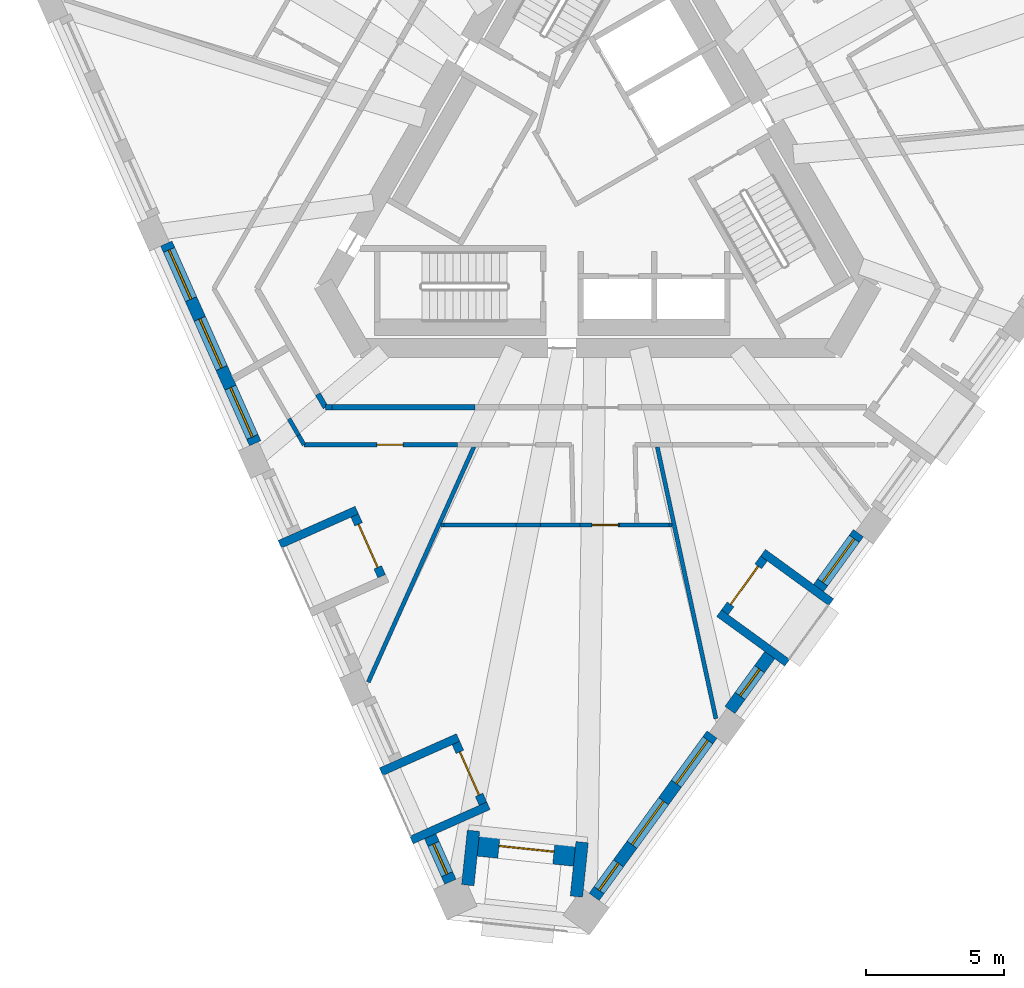
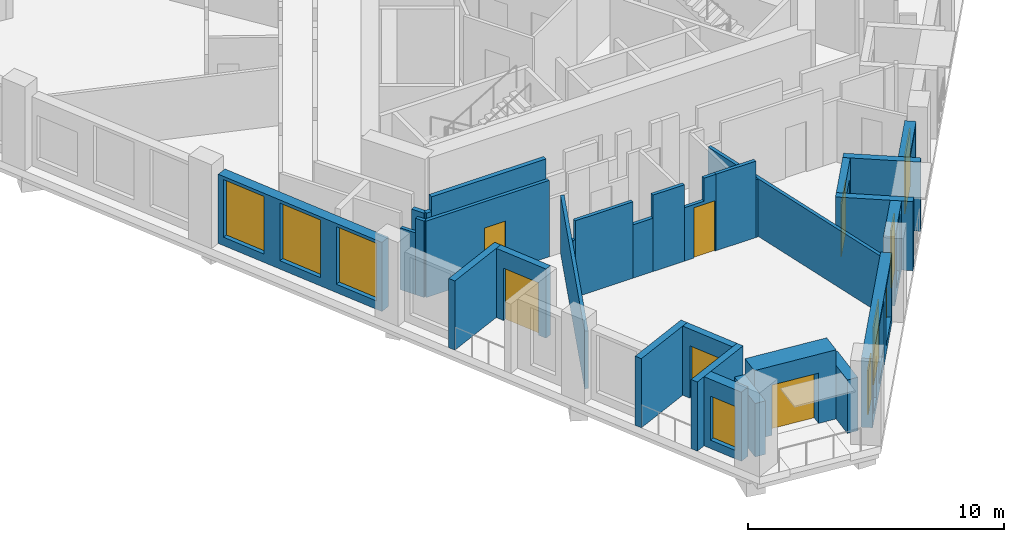
# One storey, part 2 of 11: 31 walls, 9 windows, 6 doors, 15 openings.
"""IFC4 building model written with IfcOpenShell, lengths in metres."""

from ifc_helpers import new_model, si_unit, direction, frame, frame_2d, origin, place, context, subcontext, project, spatial, polyline, rectangle, outline, extrude, material, layer, layer_set, type_object, element, fill, save


model = new_model("IFC4")

# Units and contexts
model_context = context("Model", 3, precision=1e-05, world=origin(), true_north=direction((0.0, 1.0)))
body_context = subcontext(model_context, "Body", "Model", "MODEL_VIEW")
ifc_project = project(units=[si_unit("LENGTHUNIT", "METRE"), si_unit("AREAUNIT", "SQUARE_METRE"), si_unit("VOLUMEUNIT", "CUBIC_METRE"), si_unit("PLANEANGLEUNIT", "RADIAN"), si_unit("MASSUNIT", "GRAM", prefix="KILO")], contexts=[model_context])

# Site, building, storey
site_placement = place(None, origin())
site = spatial("IfcSite", under=ifc_project, at=site_placement, CompositionType="ELEMENT")
building_placement = place(site_placement, origin())
building = spatial("IfcBuilding", under=site, at=building_placement, Name="Tramontana Tower", CompositionType="ELEMENT")
storey_placement = place(building_placement, frame((0.0, 0.0, 245.199951171875)))
storey = spatial("IfcBuildingStorey", under=building, at=storey_placement, Name="L57", CompositionType="ELEMENT", Elevation=245.199951171875)

# Walls
ifc_material_1 = material(Name="Blockwork", Category="masonry")
ifc_layer_1 = layer(ifc_material_1, 0.199951171875)
ifc_layer_set_1 = layer_set([ifc_layer_1], Name="ENTRY WALL 200")
wall_type_1 = type_object("IfcWallType", Name="ENTRY WALL 200", PredefinedType="SOLIDWALL", material=ifc_layer_set_1)
wall_1_placement = place(storey_placement, frame((-4.447998046875, -8.550048828125, 0.0), z_axis=(0.0, 0.0, 1.0), x_axis=(-1.0, 0.0, 0.0)))
element("IfcWall", 1, at=wall_1_placement, inside=storey, type_object=wall_type_1, Name="Wall v60-ew1-10", PredefinedType="SOLIDWALL", context=body_context, shape_type="SweptSolid", body=[
    extrude(rectangle(XDim=5.161376953125, YDim=0.199951171875, at=frame_2d((2.58056640625, 0.0))), origin(), (0.0, 0.0, 1.0), 3.650146484375),
])
wall_2_placement = place(storey_placement, frame((-9.609375, -8.550048828125, 0.0), z_axis=(0.0, 0.0, 1.0), x_axis=(-1.0, 0.0, 0.0)))
element("IfcWall", 2, at=wall_2_placement, inside=storey, type_object=wall_type_1, Name="Wall v60-ew1-11", PredefinedType="SOLIDWALL", context=body_context, shape_type="SweptSolid", body=[
    extrude(rectangle(XDim=0.234375, YDim=0.199951171875, at=frame_2d((0.1171875, 0.0))), origin(), (0.0, 0.0, 1.0), 2.949951171875),
])
wall_3_placement = place(storey_placement, frame((-9.84375, -8.550048828125, 0.0), z_axis=(0.0, 0.0, 1.0), x_axis=(-0.500000383388, 0.866025182435, 0.0)))
element("IfcWall", 3, at=wall_3_placement, inside=storey, type_object=wall_type_1, Name="Wall v60-ew2-0", PredefinedType="SOLIDWALL", context=body_context, shape_type="SweptSolid", body=[
    extrude(rectangle(XDim=0.5576171875, YDim=0.199951171875, at=frame_2d((0.27880859375, 0.0))), origin(), (0.0, 0.0, 1.0), 2.949951171875),
])

# Wall, openings, windows
ifc_material_2 = material(Name="Precast concrete 60 MPa", Category="concrete")
ifc_layer_2 = layer(ifc_material_2, 0.449951171875)
ifc_layer_set_2 = layer_set([ifc_layer_2], Name="Precast concrete 60 MPa, 450 mm")
wall_type_2 = type_object("IfcWallType", Name="EW1 Stone-faced precast wall 450", PredefinedType="SOLIDWALL", material=ifc_layer_set_2)
wall_4_placement = place(storey_placement, frame((-15.608154296875, -2.62158203125, 0.0), z_axis=(0.0, 0.0, 1.0), x_axis=(0.406748602972, -0.91354013266, 0.0)))
wall_4 = element("IfcWall", 4, at=wall_4_placement, inside=storey, type_object=wall_type_2, Name="External wall L57 face 0 bay 3", PredefinedType="SOLIDWALL", context=body_context, shape_type="SweptSolid", body=[
    extrude(rectangle(XDim=7.90673828125, YDim=0.449951171875, at=frame_2d((3.953369140625, 0.0))), origin(), (0.0, 0.0, 1.0), 3.300048828125),
])
opening_1_placement = place(wall_4_placement, frame((0.251220703125, 0.0, 0.39990234375)))
opening_1 = element("IfcOpeningElement", 5, at=opening_1_placement, cuts=wall_4, Name="Opening M3", PredefinedType="OPENING", context=body_context, shape_type="SweptSolid", body=[
    extrude(rectangle(XDim=1.949951171875, YDim=2.75, at=frame_2d((0.97509765625, 1.375))), frame((0.0, 0.23486328125, 0.0), z_axis=(0.0, -1.0, 0.0), x_axis=(1.0, 0.0, 0.0)), (0.0, 0.0, 1.0), 0.469970703125),
])
opening_2_placement = place(wall_4_placement, frame((2.978271484375, 0.0, 0.39990234375)))
opening_2 = element("IfcOpeningElement", 6, at=opening_2_placement, cuts=wall_4, Name="Opening M3", PredefinedType="OPENING", context=body_context, shape_type="SweptSolid", body=[
    extrude(rectangle(XDim=1.949951171875, YDim=2.75, at=frame_2d((0.97509765625, 1.375))), frame((0.0, 0.23486328125, 0.0), z_axis=(0.0, -1.0, 0.0), x_axis=(1.0, 0.0, 0.0)), (0.0, 0.0, 1.0), 0.469970703125),
])
opening_3_placement = place(wall_4_placement, frame((5.70556640625, 0.0, 0.39990234375)))
opening_3 = element("IfcOpeningElement", 7, at=opening_3_placement, cuts=wall_4, Name="Opening M3", PredefinedType="OPENING", context=body_context, shape_type="SweptSolid", body=[
    extrude(rectangle(XDim=1.949951171875, YDim=2.75, at=frame_2d((0.97509765625, 1.375))), frame((0.0, 0.23486328125, 0.0), z_axis=(0.0, -1.0, 0.0), x_axis=(1.0, 0.0, 0.0)), (0.0, 0.0, 1.0), 0.469970703125),
])
ifc_material_3 = material(Name="Aluminum frame, double glazing unit", Category="aluminium")
window_type_1 = type_object("IfcWindowType", Name="M3 Window 1.95 x 2.75", PartitioningType="SINGLE_PANEL", PredefinedType="WINDOW", material=ifc_material_3)
window_1_placement = place(opening_1_placement, origin())
window_1 = element("IfcWindow", 8, at=window_1_placement, inside=storey, type_object=window_type_1, Name="Window M3 L57 face 0 module 7", OverallHeight=2.75, OverallWidth=1.949951171875, PartitioningType="SINGLE_PANEL", PredefinedType="WINDOW", context=body_context, shape_type="SweptSolid", body=[
    extrude(rectangle(XDim=1.949951171875, YDim=2.75, at=frame_2d((0.97509765625, 1.375))), frame((0.0, 0.030029296875, 0.0), z_axis=(0.0, -1.0, 0.0), x_axis=(1.0, 0.0, 0.0)), (0.0, 0.0, 1.0), 0.06005859375),
])
fill(opening_1, window_1)
window_2_placement = place(opening_2_placement, origin())
window_2 = element("IfcWindow", 9, at=window_2_placement, inside=storey, type_object=window_type_1, Name="Window M3 L57 face 0 module 8", OverallHeight=2.75, OverallWidth=1.949951171875, PartitioningType="SINGLE_PANEL", PredefinedType="WINDOW", context=body_context, shape_type="SweptSolid", body=[
    extrude(rectangle(XDim=1.949951171875, YDim=2.75, at=frame_2d((0.97509765625, 1.375))), frame((0.0, 0.030029296875, 0.0), z_axis=(0.0, -1.0, 0.0), x_axis=(1.0, 0.0, 0.0)), (0.0, 0.0, 1.0), 0.06005859375),
])
fill(opening_2, window_2)
window_3_placement = place(opening_3_placement, origin())
window_3 = element("IfcWindow", 10, at=window_3_placement, inside=storey, type_object=window_type_1, Name="Window M3 L57 face 0 module 9", OverallHeight=2.75, OverallWidth=1.949951171875, PartitioningType="SINGLE_PANEL", PredefinedType="WINDOW", context=body_context, shape_type="SweptSolid", body=[
    extrude(rectangle(XDim=1.949951171875, YDim=2.75, at=frame_2d((0.97509765625, 1.375))), frame((0.0, 0.030029296875, 0.0), z_axis=(0.0, -1.0, 0.0), x_axis=(1.0, 0.0, 0.0)), (0.0, 0.0, 1.0), 0.06005859375),
])
fill(opening_3, window_3)

# Wall, opening, window
wall_5_placement = place(storey_placement, frame((-6.062744140625, -24.060546875, 0.0), z_axis=(0.0, 0.0, 1.0), x_axis=(0.406666293293, -0.913576776138, 0.0)))
wall_5 = element("IfcWall", 11, at=wall_5_placement, inside=storey, type_object=wall_type_2, Name="External wall L57 face 0 bay 5", PredefinedType="SOLIDWALL", context=body_context, shape_type="SweptSolid", body=[
    extrude(rectangle(XDim=1.80224609375, YDim=0.449951171875, at=frame_2d((0.901123046875, 0.0))), origin(), (0.0, 0.0, 1.0), 3.300048828125),
])
opening_4_placement = place(wall_5_placement, frame((0.301025390625, 0.0, 0.39990234375)))
opening_4 = element("IfcOpeningElement", 12, at=opening_4_placement, cuts=wall_5, Name="Opening N3L", PredefinedType="OPENING", context=body_context, shape_type="SweptSolid", body=[
    extrude(rectangle(XDim=1.199951171875, YDim=2.10009765625, at=frame_2d((0.60009765625, 1.050048828125))), frame((0.0, 0.23486328125, 0.0), z_axis=(0.0, -1.0, 0.0), x_axis=(1.0, 0.0, 0.0)), (0.0, 0.0, 1.0), 0.469970703125),
])
ifc_material_4 = material(Name="Aluminum frame, double glazing unit", Category="aluminium")
window_type_2 = type_object("IfcWindowType", Name="N3L Window 1.2 x 2.1", PartitioningType="SINGLE_PANEL", PredefinedType="WINDOW", material=ifc_material_4)
window_4_placement = place(opening_4_placement, origin())
window_4 = element("IfcWindow", 13, at=window_4_placement, inside=storey, type_object=window_type_2, Name="Window N3L L57 face 0 module 15", OverallHeight=2.10009765625, OverallWidth=1.199951171875, PartitioningType="SINGLE_PANEL", PredefinedType="WINDOW", context=body_context, shape_type="SweptSolid", body=[
    extrude(rectangle(XDim=1.199951171875, YDim=2.10009765625, at=frame_2d((0.60009765625, 1.050048828125))), frame((0.0, 0.030029296875, 0.0), z_axis=(0.0, -1.0, 0.0), x_axis=(1.0, 0.0, 0.0)), (0.0, 0.0, 1.0), 0.06005859375),
])
fill(opening_4, window_4)

# Wall, openings, windows
wall_6_placement = place(storey_placement, frame((-0.13134765625, -26.25341796875, 0.0), z_axis=(0.0, 0.0, 1.0), x_axis=(0.587781549195, 0.80901968482, 0.0)))
wall_6 = element("IfcWall", 14, at=wall_6_placement, inside=storey, type_object=wall_type_2, Name="External wall L57 face 1 bay 1", PredefinedType="SOLIDWALL", context=body_context, shape_type="SweptSolid", body=[
    extrude(rectangle(XDim=7.2568359375, YDim=0.449951171875, at=frame_2d((3.62841796875, 0.0))), origin(), (0.0, 0.0, 1.0), 3.300048828125),
])
opening_5_placement = place(wall_6_placement, frame((0.301025390625, 0.0, 0.39990234375)))
opening_5 = element("IfcOpeningElement", 15, at=opening_5_placement, cuts=wall_6, Name="Opening N3L", PredefinedType="OPENING", context=body_context, shape_type="SweptSolid", body=[
    extrude(rectangle(XDim=1.199951171875, YDim=2.10009765625, at=frame_2d((0.60009765625, 1.050048828125))), frame((0.0, 0.23486328125, 0.0), z_axis=(0.0, -1.0, 0.0), x_axis=(1.0, 0.0, 0.0)), (0.0, 0.0, 1.0), 0.469970703125),
])
opening_6_placement = place(wall_6_placement, frame((2.328369140625, 0.0, 0.39990234375)))
opening_6 = element("IfcOpeningElement", 16, at=opening_6_placement, cuts=wall_6, Name="Opening M3", PredefinedType="OPENING", context=body_context, shape_type="SweptSolid", body=[
    extrude(rectangle(XDim=1.949951171875, YDim=2.75, at=frame_2d((0.97509765625, 1.375))), frame((0.0, 0.23486328125, 0.0), z_axis=(0.0, -1.0, 0.0), x_axis=(1.0, 0.0, 0.0)), (0.0, 0.0, 1.0), 0.469970703125),
])
opening_7_placement = place(wall_6_placement, frame((5.0556640625, 0.0, 0.39990234375)))
opening_7 = element("IfcOpeningElement", 17, at=opening_7_placement, cuts=wall_6, Name="Opening M3", PredefinedType="OPENING", context=body_context, shape_type="SweptSolid", body=[
    extrude(rectangle(XDim=1.949951171875, YDim=2.75, at=frame_2d((0.97509765625, 1.375))), frame((0.0, 0.23486328125, 0.0), z_axis=(0.0, -1.0, 0.0), x_axis=(1.0, 0.0, 0.0)), (0.0, 0.0, 1.0), 0.469970703125),
])
window_5_placement = place(opening_6_placement, origin())
window_5 = element("IfcWindow", 18, at=window_5_placement, inside=storey, type_object=window_type_1, Name="Window M3 L57 face 1 module 2", OverallHeight=2.75, OverallWidth=1.949951171875, PartitioningType="SINGLE_PANEL", PredefinedType="WINDOW", context=body_context, shape_type="SweptSolid", body=[
    extrude(rectangle(XDim=1.949951171875, YDim=2.75, at=frame_2d((0.97509765625, 1.375))), frame((0.0, 0.030029296875, 0.0), z_axis=(0.0, -1.0, 0.0), x_axis=(1.0, 0.0, 0.0)), (0.0, 0.0, 1.0), 0.06005859375),
])
fill(opening_6, window_5)
window_6_placement = place(opening_7_placement, origin())
window_6 = element("IfcWindow", 19, at=window_6_placement, inside=storey, type_object=window_type_1, Name="Window M3 L57 face 1 module 3", OverallHeight=2.75, OverallWidth=1.949951171875, PartitioningType="SINGLE_PANEL", PredefinedType="WINDOW", context=body_context, shape_type="SweptSolid", body=[
    extrude(rectangle(XDim=1.949951171875, YDim=2.75, at=frame_2d((0.97509765625, 1.375))), frame((0.0, 0.030029296875, 0.0), z_axis=(0.0, -1.0, 0.0), x_axis=(1.0, 0.0, 0.0)), (0.0, 0.0, 1.0), 0.06005859375),
])
fill(opening_7, window_6)
window_7_placement = place(opening_5_placement, origin())
window_7 = element("IfcWindow", 20, at=window_7_placement, inside=storey, type_object=window_type_2, Name="Window N3L L57 face 1 module 1", OverallHeight=2.10009765625, OverallWidth=1.199951171875, PartitioningType="SINGLE_PANEL", PredefinedType="WINDOW", context=body_context, shape_type="SweptSolid", body=[
    extrude(rectangle(XDim=1.199951171875, YDim=2.10009765625, at=frame_2d((0.60009765625, 1.050048828125))), frame((0.0, 0.030029296875, 0.0), z_axis=(0.0, -1.0, 0.0), x_axis=(1.0, 0.0, 0.0)), (0.0, 0.0, 1.0), 0.06005859375),
])
fill(opening_5, window_7)

# Wall, opening, window
wall_7_placement = place(storey_placement, frame((4.780517578125, -19.49267578125, 0.0), z_axis=(0.0, 0.0, 1.0), x_axis=(0.587792773076, 0.809011530152, 0.0)))
wall_7 = element("IfcWall", 21, at=wall_7_placement, inside=storey, type_object=wall_type_2, Name="External wall L57 face 1 bay 2", PredefinedType="SOLIDWALL", context=body_context, shape_type="SweptSolid", body=[
    extrude(rectangle(XDim=2.4521484375, YDim=0.449951171875, at=frame_2d((1.22607421875, 0.0))), origin(), (0.0, 0.0, 1.0), 3.300048828125),
])
opening_8_placement = place(wall_7_placement, frame((0.626220703125, 0.0, 0.39990234375)))
opening_8 = element("IfcOpeningElement", 22, at=opening_8_placement, cuts=wall_7, Name="Opening N3", PredefinedType="OPENING", context=body_context, shape_type="SweptSolid", body=[
    extrude(rectangle(XDim=1.199951171875, YDim=2.75, at=frame_2d((0.60009765625, 1.375))), frame((0.0, 0.23486328125, 0.0), z_axis=(0.0, -1.0, 0.0), x_axis=(1.0, 0.0, 0.0)), (0.0, 0.0, 1.0), 0.469970703125),
])
ifc_material_5 = material(Name="Aluminum frame, double glazing unit", Category="aluminium")
window_type_3 = type_object("IfcWindowType", Name="N3 Window 1.2 x 2.75", PartitioningType="SINGLE_PANEL", PredefinedType="WINDOW", material=ifc_material_5)
window_8_placement = place(opening_8_placement, origin())
window_8 = element("IfcWindow", 23, at=window_8_placement, inside=storey, type_object=window_type_3, Name="Window N3 L57 face 1 module 4", OverallHeight=2.75, OverallWidth=1.199951171875, PartitioningType="SINGLE_PANEL", PredefinedType="WINDOW", context=body_context, shape_type="SweptSolid", body=[
    extrude(rectangle(XDim=1.199951171875, YDim=2.75, at=frame_2d((0.60009765625, 1.375))), frame((0.0, 0.030029296875, 0.0), z_axis=(0.0, -1.0, 0.0), x_axis=(1.0, 0.0, 0.0)), (0.0, 0.0, 1.0), 0.06005859375),
])
fill(opening_8, window_8)

wall_8_placement = place(storey_placement, frame((7.986572265625, -15.079833984375, 0.0), z_axis=(0.0, 0.0, 1.0), x_axis=(0.587792773076, 0.809011530152, 0.0)))
wall_8 = element("IfcWall", 24, at=wall_8_placement, inside=storey, type_object=wall_type_2, Name="External wall L57 face 1 bay 2", PredefinedType="SOLIDWALL", context=body_context, shape_type="SweptSolid", body=[
    extrude(rectangle(XDim=2.4521484375, YDim=0.449951171875, at=frame_2d((1.22607421875, 0.0))), origin(), (0.0, 0.0, 1.0), 3.300048828125),
])
opening_9_placement = place(wall_8_placement, frame((0.251220703125, 0.0, 0.39990234375)))
opening_9 = element("IfcOpeningElement", 25, at=opening_9_placement, cuts=wall_8, Name="Opening M3", PredefinedType="OPENING", context=body_context, shape_type="SweptSolid", body=[
    extrude(rectangle(XDim=1.949951171875, YDim=2.75, at=frame_2d((0.97509765625, 1.375))), frame((0.0, 0.23486328125, 0.0), z_axis=(0.0, -1.0, 0.0), x_axis=(1.0, 0.0, 0.0)), (0.0, 0.0, 1.0), 0.469970703125),
])
window_9_placement = place(opening_9_placement, origin())
window_9 = element("IfcWindow", 26, at=window_9_placement, inside=storey, type_object=window_type_1, Name="Window M3 L57 face 1 module 6", OverallHeight=2.75, OverallWidth=1.949951171875, PartitioningType="SINGLE_PANEL", PredefinedType="WINDOW", context=body_context, shape_type="SweptSolid", body=[
    extrude(rectangle(XDim=1.949951171875, YDim=2.75, at=frame_2d((0.97509765625, 1.375))), frame((0.0, 0.030029296875, 0.0), z_axis=(0.0, -1.0, 0.0), x_axis=(1.0, 0.0, 0.0)), (0.0, 0.0, 1.0), 0.06005859375),
])
fill(opening_9, window_9)

# Walls
for number, where, z_axis, x_axis, name in (
    (27, (-0.772216796875, -26.2421875, 0.0), (0.0, 0.0, 1.0), (0.104485716945, 0.994526387259, 0.0), "Corner loggia side wall L57 K61l"),
    (28, (-4.70068359375, -25.829345703125, 0.0), (0.0, 0.0, 1.0), (0.104607727594, 0.994513561158, 0.0), "Corner loggia side wall L57 K61r"),
):
    element("IfcWall", number, at=place(storey_placement, frame(where, z_axis=z_axis, x_axis=x_axis)), inside=storey, type_object=wall_type_2, Name=name, PredefinedType="SOLIDWALL", context=body_context, shape_type="SweptSolid", body=[
        extrude(rectangle(XDim=1.97900390625, YDim=0.449951171875, at=frame_2d((0.989501953125, 0.0))), origin(), (0.0, 0.0, 1.0), 2.550048828125),
    ])

# Wall, opening, door
ifc_material_6 = material(Name="Precast concrete 60 MPa", Category="concrete")
ifc_layer_3 = layer(ifc_material_6, 0.89990234375)
ifc_layer_set_3 = layer_set([ifc_layer_3], Name="EW2 Stone-faced corner loggia wall 900")
wall_type_3 = type_object("IfcWallType", Name="EW2 Stone-faced corner loggia wall 900", PredefinedType="SOLIDWALL", material=ifc_layer_set_3)
wall_9_placement = place(storey_placement, frame((-0.836181640625, -24.697998046875, 0.0), z_axis=(0.0, 0.0, 1.0), x_axis=(-0.994518821828, 0.104557701916, 0.0)))
wall_9 = element("IfcWall", 29, at=wall_9_placement, inside=storey, type_object=wall_type_3, Name="Corner loggia wall L57 K61", PredefinedType="SOLIDWALL", context=body_context, shape_type="SweptSolid", body=[
    extrude(rectangle(XDim=3.500244140625, YDim=0.89990234375, at=frame_2d((1.75, 0.0))), origin(), (0.0, 0.0, 1.0), 3.300048828125),
])
opening_10_placement = place(wall_9_placement, frame((0.75, 0.0, 0.0)))
opening_10 = element("IfcOpeningElement", 30, at=opening_10_placement, cuts=wall_9, Name="Opening BD-61C", PredefinedType="OPENING", context=body_context, shape_type="SweptSolid", body=[
    extrude(rectangle(XDim=2.0, YDim=2.39990234375, at=frame_2d((1.0, 1.199951171875))), frame((0.0, 0.4599609375, 0.0), z_axis=(0.0, -1.0, 0.0), x_axis=(1.0, 0.0, 0.0)), (0.0, 0.0, 1.0), 0.919921875),
])
ifc_material_7 = material(Name="Aluminum frame, double glazing unit", Category="aluminium")
door_type_1 = type_object("IfcDoorType", Name="BC1 Sliding door 2 x 2.4", OperationType="SLIDING_TO_LEFT", PredefinedType="DOOR", material=ifc_material_7)
door_1_placement = place(opening_10_placement, origin())
door_1 = element("IfcDoor", 31, at=door_1_placement, inside=storey, type_object=door_type_1, Name="Corner loggia door L57 K61", OperationType="SLIDING_TO_LEFT", OverallHeight=2.39990234375, OverallWidth=2.0, PredefinedType="DOOR", context=body_context, shape_type="SweptSolid", body=[
    extrude(rectangle(XDim=2.0, YDim=2.39990234375, at=frame_2d((1.0, 1.199951171875))), frame((0.0, 0.02490234375, 0.0), z_axis=(0.0, -1.0, 0.0), x_axis=(1.0, 0.0, 0.0)), (0.0, 0.0, 1.0), 0.050048828125),
])
fill(opening_10, door_1)

ifc_material_8 = material(Name="Precast concrete 60 MPa", Category="concrete")
ifc_layer_4 = layer(ifc_material_8, 0.300048828125)
ifc_layer_set_4 = layer_set([ifc_layer_4], Name="LW1 Stone-faced loggia wall 300")
wall_type_4 = type_object("IfcWallType", Name="LW1 Stone-faced loggia wall 300", PredefinedType="SOLIDWALL", material=ifc_layer_set_4)
wall_10_placement = place(storey_placement, frame((-8.792724609375, -12.458984375, 0.0), z_axis=(0.0, 0.0, 1.0), x_axis=(0.406723017018, -0.913551524232, 0.0)))
wall_10 = element("IfcWall", 32, at=wall_10_placement, inside=storey, type_object=wall_type_4, Name="Loggia wall L57 G6S0.10", PredefinedType="SOLIDWALL", context=body_context, shape_type="SweptSolid", body=[
    extrude(rectangle(XDim=2.40234375, YDim=0.300048828125, at=frame_2d((1.201171875, 0.0))), origin(), (0.0, 0.0, 1.0), 3.300048828125),
])
opening_11_placement = place(wall_10_placement, frame((0.35107421875, 0.0, 0.0)))
opening_11 = element("IfcOpeningElement", 33, at=opening_11_placement, cuts=wall_10, Name="Opening BD-6S0-10", PredefinedType="OPENING", context=body_context, shape_type="SweptSolid", body=[
    extrude(rectangle(XDim=1.699951171875, YDim=2.5, at=frame_2d((0.85009765625, 1.25))), frame((0.0, 0.159912109375, 0.0), z_axis=(0.0, -1.0, 0.0), x_axis=(1.0, 0.0, 0.0)), (0.0, 0.0, 1.0), 0.320068359375),
])
ifc_material_9 = material(Name="Aluminum frame, double glazing unit", Category="aluminium")
door_type_2 = type_object("IfcDoorType", Name="BD3 Sliding door 1.7 x 2.5", OperationType="SLIDING_TO_LEFT", PredefinedType="DOOR", material=ifc_material_9)
door_2_placement = place(opening_11_placement, origin())
door_2 = element("IfcDoor", 34, at=door_2_placement, inside=storey, type_object=door_type_2, Name="Loggia door L57 G6S0.10", OperationType="SLIDING_TO_LEFT", OverallHeight=2.5, OverallWidth=1.699951171875, PredefinedType="DOOR", context=body_context, shape_type="SweptSolid", body=[
    extrude(rectangle(XDim=1.699951171875, YDim=2.5, at=frame_2d((0.85009765625, 1.25))), frame((0.0, 0.02490234375, 0.0), z_axis=(0.0, -1.0, 0.0), x_axis=(1.0, 0.0, 0.0)), (0.0, 0.0, 1.0), 0.050048828125),
])
fill(opening_11, door_2)

# Wall
wall_11_placement = place(storey_placement, frame((-11.5029296875, -13.50146484375, 0.0), z_axis=(0.0, 0.0, 1.0), x_axis=(0.913557205168, 0.406710256677, 0.0)))
element("IfcWall", 35, at=wall_11_placement, inside=storey, type_object=wall_type_4, Name="Loggia return L57 G6S0.10a", PredefinedType="SOLIDWALL", context=body_context, shape_type="SweptSolid", body=[
    extrude(rectangle(XDim=3.050048828125, YDim=0.300048828125, at=frame_2d((1.52490234375, 0.0))), origin(), (0.0, 0.0, 1.0), 3.300048828125),
])

# Wall, opening, door
wall_12_placement = place(storey_placement, frame((-5.12939453125, -20.68701171875, 0.0), z_axis=(0.0, 0.0, 1.0), x_axis=(0.406723017018, -0.913551524232, 0.0)))
wall_12 = element("IfcWall", 36, at=wall_12_placement, inside=storey, type_object=wall_type_4, Name="Loggia wall L57 G6S0.13", PredefinedType="SOLIDWALL", context=body_context, shape_type="SweptSolid", body=[
    extrude(rectangle(XDim=2.40234375, YDim=0.300048828125, at=frame_2d((1.201171875, 0.0))), origin(), (0.0, 0.0, 1.0), 3.300048828125),
])
opening_12_placement = place(wall_12_placement, frame((0.35107421875, 0.0, 0.0)))
opening_12 = element("IfcOpeningElement", 37, at=opening_12_placement, cuts=wall_12, Name="Opening BD-6S0-13", PredefinedType="OPENING", context=body_context, shape_type="SweptSolid", body=[
    extrude(rectangle(XDim=1.699951171875, YDim=2.5, at=frame_2d((0.85009765625, 1.25))), frame((0.0, 0.159912109375, 0.0), z_axis=(0.0, -1.0, 0.0), x_axis=(1.0, 0.0, 0.0)), (0.0, 0.0, 1.0), 0.320068359375),
])
door_3_placement = place(opening_12_placement, origin())
door_3 = element("IfcDoor", 38, at=door_3_placement, inside=storey, type_object=door_type_2, Name="Loggia door L57 G6S0.13", OperationType="SLIDING_TO_LEFT", OverallHeight=2.5, OverallWidth=1.699951171875, PredefinedType="DOOR", context=body_context, shape_type="SweptSolid", body=[
    extrude(rectangle(XDim=1.699951171875, YDim=2.5, at=frame_2d((0.85009765625, 1.25))), frame((0.0, 0.02490234375, 0.0), z_axis=(0.0, -1.0, 0.0), x_axis=(1.0, 0.0, 0.0)), (0.0, 0.0, 1.0), 0.050048828125),
])
fill(opening_12, door_3)

# Walls
for number, where, z_axis, x_axis, name in (
    (39, (-7.839599609375, -21.7294921875, 0.0), (0.0, 0.0, 1.0), (0.913557205168, 0.406710256677, 0.0), "Loggia return L57 G6S0.13a"),
    (40, (-6.740478515625, -24.197998046875, 0.0), (0.0, 0.0, 1.0), (0.913557205168, 0.406710256677, 0.0), "Loggia return L57 G6S0.13b"),
):
    element("IfcWall", number, at=place(storey_placement, frame(where, z_axis=z_axis, x_axis=x_axis)), inside=storey, type_object=wall_type_4, Name=name, PredefinedType="SOLIDWALL", context=body_context, shape_type="SweptSolid", body=[
        extrude(rectangle(XDim=3.050048828125, YDim=0.300048828125, at=frame_2d((1.52490234375, 0.0))), origin(), (0.0, 0.0, 1.0), 3.300048828125),
    ])

# Wall, opening, door
wall_13_placement = place(storey_placement, frame((4.59814453125, -15.958251953125, 0.0), z_axis=(0.0, 0.0, 1.0), x_axis=(0.587833242688, 0.808982125137, 0.0)))
wall_13 = element("IfcWall", 41, at=wall_13_placement, inside=storey, type_object=wall_type_4, Name="Loggia wall L57 G6S1.4", PredefinedType="SOLIDWALL", context=body_context, shape_type="SweptSolid", body=[
    extrude(rectangle(XDim=2.40234375, YDim=0.300048828125, at=frame_2d((1.201171875, 0.0))), origin(), (0.0, 0.0, 1.0), 3.300048828125),
])
opening_13_placement = place(wall_13_placement, frame((0.35107421875, 0.0, 0.0)))
opening_13 = element("IfcOpeningElement", 42, at=opening_13_placement, cuts=wall_13, Name="Opening BD-6S1-04", PredefinedType="OPENING", context=body_context, shape_type="SweptSolid", body=[
    extrude(rectangle(XDim=1.699951171875, YDim=2.5, at=frame_2d((0.85009765625, 1.25))), frame((0.0, 0.159912109375, 0.0), z_axis=(0.0, -1.0, 0.0), x_axis=(1.0, 0.0, 0.0)), (0.0, 0.0, 1.0), 0.320068359375),
])
door_4_placement = place(opening_13_placement, origin())
door_4 = element("IfcDoor", 43, at=door_4_placement, inside=storey, type_object=door_type_2, Name="Loggia door L57 G6S1.4", OperationType="SLIDING_TO_LEFT", OverallHeight=2.5, OverallWidth=1.699951171875, PredefinedType="DOOR", context=body_context, shape_type="SweptSolid", body=[
    extrude(rectangle(XDim=1.699951171875, YDim=2.5, at=frame_2d((0.85009765625, 1.25))), frame((0.0, 0.02490234375, 0.0), z_axis=(0.0, -1.0, 0.0), x_axis=(1.0, 0.0, 0.0)), (0.0, 0.0, 1.0), 0.050048828125),
])
fill(opening_13, door_4)

# Walls
for number, where, z_axis, x_axis, name in (
    (44, (6.856201171875, -17.7841796875, 0.0), (0.0, 0.0, 1.0), (-0.80902328748, 0.587776590479, 0.0), "Loggia return L57 G6S1.4a"),
    (45, (8.4443359375, -15.59814453125, 0.0), (0.0, 0.0, 1.0), (-0.808957563125, 0.587867043696, 0.0), "Loggia return L57 G6S1.4b"),
):
    element("IfcWall", number, at=place(storey_placement, frame(where, z_axis=z_axis, x_axis=x_axis)), inside=storey, type_object=wall_type_4, Name=name, PredefinedType="SOLIDWALL", context=body_context, shape_type="SweptSolid", body=[
        extrude(rectangle(XDim=3.050048828125, YDim=0.300048828125, at=frame_2d((1.52490234375, 0.0))), origin(), (0.0, 0.0, 1.0), 3.300048828125),
    ])
ifc_material_10 = material(Name="Gypsum board partition")
ifc_layer_5 = layer(ifc_material_10, 0.14990234375)
ifc_layer_set_5 = layer_set([ifc_layer_5], Name="PARTITION 150")
wall_type_5 = type_object("IfcWallType", Name="PARTITION 150", PredefinedType="PARTITIONING", material=ifc_layer_set_5)
wall_14_placement = place(storey_placement, frame((-10.623291015625, -9.89990234375, 0.0), z_axis=(0.0, 0.0, 1.0), x_axis=(-0.499899443193, 0.866083452501, 0.0)))
element("IfcWall", 46, at=wall_14_placement, inside=storey, type_object=wall_type_5, Name="Wall v60-pw04-0", PredefinedType="PARTITIONING", context=body_context, shape_type="SweptSolid", body=[
    extrude(rectangle(XDim=0.39794921875, YDim=0.14990234375, at=frame_2d((0.198974609375, 0.0))), origin(), (0.0, 0.0, 1.0), 3.650146484375),
])
wall_15_placement = place(storey_placement, frame((-10.822265625, -9.55517578125, 0.0), z_axis=(0.0, 0.0, 1.0), x_axis=(-0.499969057507, 0.866043267704, 0.0)))
element("IfcWall", 47, at=wall_15_placement, inside=storey, type_object=wall_type_5, Name="Wall v60-pw04-1", PredefinedType="PARTITIONING", context=body_context, shape_type="SweptSolid", body=[
    extrude(rectangle(XDim=0.685546875, YDim=0.14990234375, at=frame_2d((0.3427734375, 0.0))), origin(), (0.0, 0.0, 1.0), 2.949951171875),
])
wall_16_placement = place(storey_placement, frame((-8.299560546875, -18.483642578125, 0.0), z_axis=(0.0, 0.0, 1.0), x_axis=(0.409625524412, 0.9122537639, 0.0)))
element("IfcWall", 48, at=wall_16_placement, inside=storey, type_object=wall_type_5, Name="Wall v60-pw07-0", PredefinedType="PARTITIONING", context=body_context, shape_type="SweptSolid", body=[
    extrude(rectangle(XDim=9.326904296875, YDim=0.14990234375, at=frame_2d((4.66357421875, 0.0))), origin(), (0.0, 0.0, 1.0), 2.75),
])

# Wall, opening, door
wall_17_placement = place(storey_placement, frame((-5.06689453125, -9.89990234375, 0.0), z_axis=(0.0, 0.0, 1.0), x_axis=(-1.0, 0.0, 0.0)))
wall_17 = element("IfcWall", 49, at=wall_17_placement, inside=storey, type_object=wall_type_5, Name="Wall v60-pw09-4", PredefinedType="PARTITIONING", context=body_context, shape_type="SweptSolid", body=[
    extrude(rectangle(XDim=5.556396484375, YDim=0.14990234375, at=frame_2d((2.7783203125, 0.0))), origin(), (0.0, 0.0, 1.0), 3.650146484375),
])
opening_14_placement = place(wall_17_placement, frame((1.970947265625, 0.0, 0.0)))
opening_14 = element("IfcOpeningElement", 50, at=opening_14_placement, cuts=wall_17, Name="Opening B6A-07", PredefinedType="OPENING", context=body_context, shape_type="SweptSolid", body=[
    extrude(rectangle(XDim=0.949951171875, YDim=2.39990234375, at=frame_2d((0.47509765625, 1.199951171875))), frame((0.0, 0.0849609375, 0.0), z_axis=(0.0, -1.0, 0.0), x_axis=(1.0, 0.0, 0.0)), (0.0, 0.0, 1.0), 0.169921875),
])
ifc_material_11 = material(Name="Painted timber", Category="wood")
door_type_3 = type_object("IfcDoorType", Name="DOOR ROOM 950", OperationType="SINGLE_SWING_LEFT", PredefinedType="DOOR", material=ifc_material_11)
door_5_placement = place(opening_14_placement, origin())
door_5 = element("IfcDoor", 51, at=door_5_placement, inside=storey, type_object=door_type_3, Name="Door B6A-07", OperationType="SINGLE_SWING_LEFT", OverallHeight=2.39990234375, OverallWidth=0.949951171875, PredefinedType="DOOR", context=body_context, shape_type="SweptSolid", body=[
    extrude(rectangle(XDim=0.949951171875, YDim=2.39990234375, at=frame_2d((0.47509765625, 1.199951171875))), frame((0.0, 0.02490234375, 0.0), z_axis=(0.0, -1.0, 0.0), x_axis=(1.0, 0.0, 0.0)), (0.0, 0.0, 1.0), 0.050048828125),
])
fill(opening_14, door_5)

# Walls
wall_18_placement = place(storey_placement, frame((2.1533203125, -9.97509765625, 0.0), z_axis=(0.0, 0.0, 1.0), x_axis=(0.210986150263, -0.977489050781, 0.0)))
element("IfcWall", 52, at=wall_18_placement, inside=storey, type_object=wall_type_5, Name="Wall v60-pw13-0", PredefinedType="PARTITIONING", context=body_context, shape_type="SweptSolid", body=[
    extrude(rectangle(XDim=10.056640625, YDim=0.14990234375, at=frame_2d((5.0283203125, 0.0))), origin(), (0.0, 0.0, 1.0), 2.75),
])
wall_19_placement = place(storey_placement, frame((2.686279296875, -12.800048828125, 0.0), z_axis=(0.0, 0.0, 1.0), x_axis=(-1.0, 0.0, 0.0)))
element("IfcWall", 53, at=wall_19_placement, inside=storey, type_object=wall_type_5, Name="Wall v60-pw14-0", PredefinedType="PARTITIONING", context=body_context, shape_type="SweptSolid", body=[
    extrude(rectangle(XDim=0.10400390625, YDim=0.14990234375, at=frame_2d((0.052001953125, 0.0))), origin(), (0.0, 0.0, 1.0), 2.75),
])
wall_20_placement = place(storey_placement, frame((2.582275390625, -12.800048828125, 0.0), z_axis=(0.0, 0.0, 1.0), x_axis=(-1.0, 0.0, 0.0)))
element("IfcWall", 54, at=wall_20_placement, inside=storey, type_object=wall_type_5, Name="Wall v60-pw14-1", PredefinedType="PARTITIONING", context=body_context, shape_type="SweptSolid", body=[
    extrude(rectangle(XDim=1.79638671875, YDim=0.14990234375, at=frame_2d((0.898193359375, 0.0))), origin(), (0.0, 0.0, 1.0), 3.650146484375),
])

# Wall, opening, door
wall_21_placement = place(storey_placement, frame((0.785888671875, -12.800048828125, 0.0), z_axis=(0.0, 0.0, 1.0), x_axis=(-1.0, 0.0, 0.0)))
wall_21 = element("IfcWall", 55, at=wall_21_placement, inside=storey, type_object=wall_type_5, Name="Wall v60-pw14-2", PredefinedType="PARTITIONING", context=body_context, shape_type="SweptSolid", body=[
    extrude(outline(polyline([(0.0, 0.0), (1.42578125, 0.0), (1.42578125, 2.550048828125), (0.550537109375, 2.550048828125), (0.550537109375, 3.650146484375), (0.0, 3.650146484375), (0.0, 0.0)])), frame((0.0, 0.074951171875, 0.0), z_axis=(0.0, -1.0, 0.0), x_axis=(1.0, 0.0, 0.0)), (0.0, 0.0, 1.0), 0.14990234375),
])
opening_15_placement = place(wall_21_placement, frame((0.050048828125, 0.0, 0.0)))
opening_15 = element("IfcOpeningElement", 56, at=opening_15_placement, cuts=wall_21, Name="Opening B6A-06", PredefinedType="OPENING", context=body_context, shape_type="SweptSolid", body=[
    extrude(rectangle(XDim=0.949951171875, YDim=2.39990234375, at=frame_2d((0.47509765625, 1.199951171875))), frame((0.0, 0.0849609375, 0.0), z_axis=(0.0, -1.0, 0.0), x_axis=(1.0, 0.0, 0.0)), (0.0, 0.0, 1.0), 0.169921875),
])
door_6_placement = place(opening_15_placement, origin())
door_6 = element("IfcDoor", 57, at=door_6_placement, inside=storey, type_object=door_type_3, Name="Door B6A-06", OperationType="SINGLE_SWING_RIGHT", OverallHeight=2.39990234375, OverallWidth=0.949951171875, PredefinedType="DOOR", context=body_context, shape_type="SweptSolid", body=[
    extrude(rectangle(XDim=0.949951171875, YDim=2.39990234375, at=frame_2d((0.47509765625, 1.199951171875))), frame((0.0, 0.02490234375, 0.0), z_axis=(0.0, -1.0, 0.0), x_axis=(1.0, 0.0, 0.0)), (0.0, 0.0, 1.0), 0.050048828125),
])
fill(opening_15, door_6)

# Walls
wall_22_placement = place(storey_placement, frame((-0.639892578125, -12.800048828125, 0.0), z_axis=(0.0, 0.0, 1.0), x_axis=(-1.0, 0.0, 0.0)))
element("IfcWall", 58, at=wall_22_placement, inside=storey, type_object=wall_type_5, Name="Wall v60-pw14-3", PredefinedType="PARTITIONING", context=body_context, shape_type="SweptSolid", body=[
    extrude(rectangle(XDim=1.42431640625, YDim=0.14990234375, at=frame_2d((0.712158203125, 0.0))), origin(), (0.0, 0.0, 1.0), 3.650146484375),
])
wall_23_placement = place(storey_placement, frame((-2.064208984375, -12.800048828125, 0.0), z_axis=(0.0, 0.0, 1.0), x_axis=(-1.0, 0.0, 0.0)))
element("IfcWall", 59, at=wall_23_placement, inside=storey, type_object=wall_type_5, Name="Wall v60-pw14-4", PredefinedType="PARTITIONING", context=body_context, shape_type="SweptSolid", body=[
    extrude(rectangle(XDim=0.8916015625, YDim=0.14990234375, at=frame_2d((0.44580078125, 0.0))), origin(), (0.0, 0.0, 1.0), 2.550048828125),
])
wall_24_placement = place(storey_placement, frame((-2.955810546875, -12.800048828125, 0.0), z_axis=(0.0, 0.0, 1.0), x_axis=(-1.0, 0.0, 0.0)))
element("IfcWall", 60, at=wall_24_placement, inside=storey, type_object=wall_type_5, Name="Wall v60-pw14-5", PredefinedType="PARTITIONING", context=body_context, shape_type="SweptSolid", body=[
    extrude(rectangle(XDim=2.614013671875, YDim=0.14990234375, at=frame_2d((1.30712890625, 0.0))), origin(), (0.0, 0.0, 1.0), 3.650146484375),
])
wall_25_placement = place(storey_placement, frame((-5.56982421875, -12.800048828125, 0.0), z_axis=(0.0, 0.0, 1.0), x_axis=(-1.0, 0.0, 0.0)))
element("IfcWall", 61, at=wall_25_placement, inside=storey, type_object=wall_type_5, Name="Wall v60-pw14-6", PredefinedType="PARTITIONING", context=body_context, shape_type="SweptSolid", body=[
    extrude(rectangle(XDim=0.095458984375, YDim=0.14990234375, at=frame_2d((0.0478515625, 0.0))), origin(), (0.0, 0.0, 1.0), 2.75),
])

save(model, "model.ifc")
